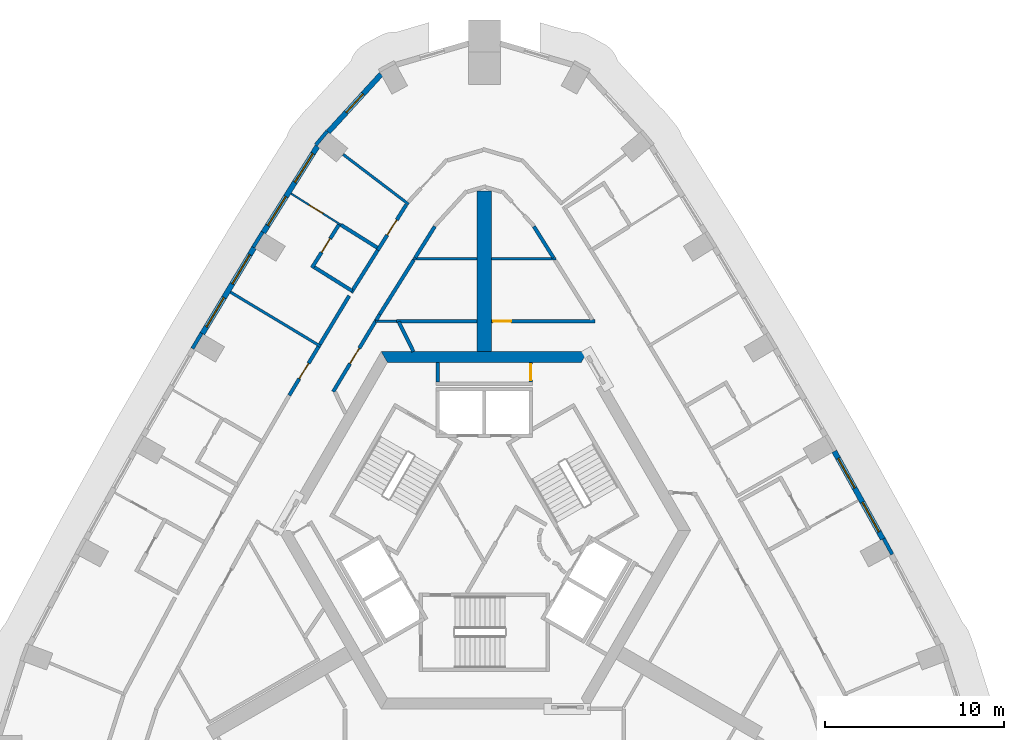
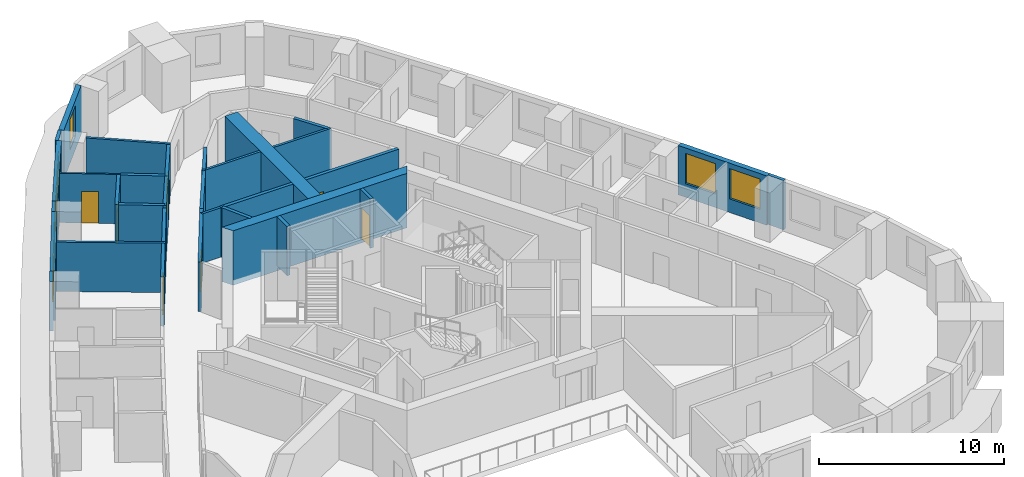
# One storey, part 8 of 13: 33 walls, 7 doors, 7 windows, 14 openings.
"""IFC4 building model written with IfcOpenShell, lengths in metres."""

import ifcopenshell
import ifcopenshell.guid

model = None  # the IFC model being written
_history = None  # IfcOwnerHistory: only IFC2X3 demands one
_inside = {}  # id of a spatial element -> (the spatial element, [elements in it])
_under = {}  # id of a project, library or spatial element -> (it, [spatial elements below it])
_declared = {}  # id of a project -> (the project, [libraries it declares])
_typed = {}  # id of a type object -> (the type object, [elements of that type])
_made_of = {}  # id of a material, layer set ... -> (it, [elements and type objects made of it])


def new_model(schema):
    """Start an empty IFC model of exactly this schema.

    Asked for "IFC4X3", IfcOpenShell would pick the latest addendum, in which some entities
    have other attributes; the version numbers below select the first issue.
    IFC2X3 requires an IfcOwnerHistory on every rooted entity: one is made here for all.
    """
    global model, _history
    if schema == "IFC4X3":
        model = ifcopenshell.file(schema_version=(4, 3, 0, 0))
    else:
        model = ifcopenshell.file(schema=schema)
    _inside.clear()
    _under.clear()
    _declared.clear()
    _typed.clear()
    _made_of.clear()
    _history = None
    if model.schema == "IFC2X3":
        org = make("IfcOrganization", Name="unknown")
        user = make(
            "IfcPersonAndOrganization",
            ThePerson=make("IfcPerson", FamilyName="unknown"),
            TheOrganization=org,
        )
        app = make(
            "IfcApplication",
            ApplicationDeveloper=org,
            Version="unknown",
            ApplicationFullName="unknown",
            ApplicationIdentifier="unknown",
        )
        _history = make(
            "IfcOwnerHistory",
            OwningUser=user,
            OwningApplication=app,
            ChangeAction="ADDED",
            CreationDate=0,
        )
    return model


def make(cls, **values):
    """One entity of the class cls with the attributes given. An attribute that is None is left unset."""
    return model.create_entity(
        cls, **{name: value for name, value in values.items() if value is not None}
    )


def rooted(cls, **values):
    """An entity with a GlobalId (a new one), such as an element, a storey or a relation."""
    return make(cls, GlobalId=ifcopenshell.guid.new(), OwnerHistory=_history, **values)


def si_unit(unit_type, name, prefix=None):
    """IfcSIUnit, for example si_unit("LENGTHUNIT", "METRE", prefix="MILLI")."""
    return make("IfcSIUnit", UnitType=unit_type, Prefix=prefix, Name=name)


def assignment(units):
    """IfcUnitAssignment: the units of a project."""
    return None if units is None else make("IfcUnitAssignment", Units=units)


def point(xyz):
    """IfcCartesianPoint."""
    return None if xyz is None else make("IfcCartesianPoint", Coordinates=xyz)


def direction(xyz):
    """IfcDirection."""
    return None if xyz is None else make("IfcDirection", DirectionRatios=xyz)


def frame(location, z_axis=None, x_axis=None):
    """IfcAxis2Placement3D, a coordinate frame: its origin and axes. An axis left out is left unset."""
    return make(
        "IfcAxis2Placement3D",
        Location=point(location),
        Axis=direction(z_axis),
        RefDirection=direction(x_axis),
    )


def frame_2d(location, x_axis=None):
    """IfcAxis2Placement2D, a coordinate frame in the plane: its origin and x axis."""
    return make(
        "IfcAxis2Placement2D", Location=point(location), RefDirection=direction(x_axis)
    )


def origin():
    """The frame at (0, 0, 0) with its axes left unset."""
    return frame((0.0, 0.0, 0.0))


def place(relative_to, where):
    """IfcLocalPlacement: puts the frame where relative to a parent placement (None: the world)."""
    return make(
        "IfcLocalPlacement", PlacementRelTo=relative_to, RelativePlacement=where
    )


def context(
    kind, dimensions, precision=None, world=None, true_north=None, identifier=None
):
    """IfcGeometricRepresentationContext, for example the 3D "Model" context."""
    return make(
        "IfcGeometricRepresentationContext",
        ContextIdentifier=identifier,
        ContextType=kind,
        CoordinateSpaceDimension=dimensions,
        Precision=precision,
        WorldCoordinateSystem=world,
        TrueNorth=true_north,
    )


def subcontext(parent, identifier, kind, view, scale=None):
    """IfcGeometricRepresentationSubContext, for example "Body" below "Model"."""
    return make(
        "IfcGeometricRepresentationSubContext",
        ContextIdentifier=identifier,
        ContextType=kind,
        ParentContext=parent,
        TargetScale=scale,
        TargetView=view,
    )


def project(units=None, contexts=None):
    """IfcProject with its units and contexts."""
    return rooted(
        "IfcProject",
        Name="project",
        RepresentationContexts=contexts,
        UnitsInContext=assignment(units),
    )


def spatial(cls, under=None, at=None, **own):
    """A site, building, storey or space (cls), placed at a placement, below another one or the project."""
    s = rooted(cls, ObjectPlacement=at, **own)
    if under is not None:
        _under.setdefault(under.id(), (under, []))[1].append(s)
    return s


def polyline(points):
    """IfcPolyline through the points."""
    return make("IfcPolyline", Points=[point(p) for p in points])


def profile(cls, at=None, kind="AREA", **sizes):
    """A parametric profile (cls). Its sizes go by their IFC names, for example OverallWidth=200.0."""
    return make(cls, ProfileType=kind, Position=at, **sizes)


def rectangle(**sizes):
    """IfcRectangleProfileDef."""
    return profile("IfcRectangleProfileDef", **sizes)


def outline(outer, holes=None, kind="AREA"):
    """IfcArbitraryClosedProfileDef: a profile drawn as a closed curve; with holes, ...WithVoids."""
    if holes is None:
        return make("IfcArbitraryClosedProfileDef", ProfileType=kind, OuterCurve=outer)
    return make(
        "IfcArbitraryProfileDefWithVoids",
        ProfileType=kind,
        OuterCurve=outer,
        InnerCurves=holes,
    )


def extrude(swept, where, along, depth):
    """IfcExtrudedAreaSolid: the profile swept, set in the frame where, extruded along a direction by depth."""
    return make(
        "IfcExtrudedAreaSolid",
        SweptArea=swept,
        Position=where,
        ExtrudedDirection=direction(along),
        Depth=depth,
    )


def shape(context_of_items, identifier, shape_type, items):
    """IfcShapeRepresentation: the items that make up one representation, for example the "Body"."""
    return make(
        "IfcShapeRepresentation",
        ContextOfItems=context_of_items,
        RepresentationIdentifier=identifier,
        RepresentationType=shape_type,
        Items=items,
    )


def material(Name=None, Category=None):
    """IfcMaterial."""
    return make("IfcMaterial", Name=Name, Category=Category)


def layer(
    of_material, thickness, ventilated=None, Name=None, Category=None, Priority=None
):
    """IfcMaterialLayer: one layer of a wall or slab, of a material (None: an air gap)."""
    return make(
        "IfcMaterialLayer",
        Material=of_material,
        LayerThickness=thickness,
        IsVentilated=ventilated,
        Name=Name,
        Category=Category,
        Priority=Priority,
    )


def layer_set(layers, Name=None):
    """IfcMaterialLayerSet."""
    return make("IfcMaterialLayerSet", MaterialLayers=layers, LayerSetName=Name)


def made_of(thing, what):
    """Note that an element or type object is made of a material, layer set ...; save() writes the relation."""
    if what is not None:
        _made_of.setdefault(what.id(), (what, []))[1].append(thing)
    return thing


def type_object(cls, material=None, **own):
    """A type object (cls), such as IfcWallType, which elements share."""
    return made_of(rooted(cls, **own), material)


def element(
    cls,
    number,
    at=None,
    inside=None,
    cuts=None,
    type_object=None,
    material=None,
    context=None,
    identifier="Body",
    shape_type=None,
    held_by="IfcProductDefinitionShape",
    body=None,
    shapes=None,
    **own,
):
    """One element of the class cls, such as IfcWall. Its Tag is "e" and its number.

    at: its placement. inside: the storey or other place that contains it. cuts: it is an
    opening in that element (IfcRelVoidsElement). A single representation is given by context,
    identifier, shape_type and body (its items); several are given by shapes. held_by: the class
    of the entity that holds the representations. save() writes the other relations.
    """
    e = rooted(cls, Tag="e%d" % number, ObjectPlacement=at, **own)
    if body is not None:
        shapes = [shape(context, identifier, shape_type, body)]
    if shapes is not None:
        e.Representation = make(held_by, Representations=shapes)
    if inside is not None:
        _inside.setdefault(inside.id(), (inside, []))[1].append(e)
    if cuts is not None:
        rooted(
            "IfcRelVoidsElement", RelatingBuildingElement=cuts, RelatedOpeningElement=e
        )
    if type_object is not None:
        _typed.setdefault(type_object.id(), (type_object, []))[1].append(e)
    return made_of(e, material)


def fill(opening, filler):
    """IfcRelFillsElement: the door or window that sits in an opening."""
    return rooted(
        "IfcRelFillsElement",
        RelatingOpeningElement=opening,
        RelatedBuildingElement=filler,
    )


def aggregate(whole, parts):
    """IfcRelAggregates: a whole, such as a stair, and the parts it consists of."""
    return rooted("IfcRelAggregates", RelatingObject=whole, RelatedObjects=parts)


def save(model, path):
    """Write the relations noted so far, then the file.

    IfcRelAggregates (storeys below a building ...), IfcRelContainedInSpatialStructure (elements
    in a storey), IfcRelDefinesByType, IfcRelAssociatesMaterial and IfcRelDeclares: one each for
    every whole, place, type object, material and project.
    """
    for whole, parts in _under.values():
        aggregate(whole, parts)
    for where, things in _inside.values():
        rooted(
            "IfcRelContainedInSpatialStructure",
            RelatedElements=things,
            RelatingStructure=where,
        )
    for kind, things in _typed.values():
        rooted("IfcRelDefinesByType", RelatedObjects=things, RelatingType=kind)
    for what, things in _made_of.values():
        rooted("IfcRelAssociatesMaterial", RelatedObjects=things, RelatingMaterial=what)
    for by, libraries in _declared.values():
        rooted("IfcRelDeclares", RelatingContext=by, RelatedDefinitions=libraries)
    model.write(path)


model = new_model("IFC4")

# Units and contexts
model_context = context("Model", 3, precision=1e-05, world=origin(), true_north=direction((0.0, 1.0)))
body_context = subcontext(model_context, "Body", "Model", "MODEL_VIEW")
ifc_project = project(units=[si_unit("LENGTHUNIT", "METRE"), si_unit("AREAUNIT", "SQUARE_METRE"), si_unit("VOLUMEUNIT", "CUBIC_METRE"), si_unit("PLANEANGLEUNIT", "RADIAN"), si_unit("MASSUNIT", "GRAM", prefix="KILO")], contexts=[model_context])

# Site, building, storey
site_placement = place(None, origin())
site = spatial("IfcSite", under=ifc_project, at=site_placement, CompositionType="ELEMENT")
building_placement = place(site_placement, origin())
building = spatial("IfcBuilding", under=site, at=building_placement, Name="Entoto Arch Interchange Tower", CompositionType="ELEMENT")
storey_placement = place(building_placement, frame((0.0, 0.0, 266.60009765625)))
storey = spatial("IfcBuildingStorey", under=building, at=storey_placement, Name="L61", CompositionType="ELEMENT", Elevation=266.60009765625)

# Walls
ifc_material_1 = material(Name="Concrete C40/50", Category="concrete")
ifc_layer_1 = layer(ifc_material_1, 0.800048828125)
ifc_layer_set_1 = layer_set([ifc_layer_1], Name="Concrete C40/50")
wall_type_1 = type_object("IfcWallType", Name="Buttress wall 800 C40/50", PredefinedType="SHEAR", material=ifc_layer_set_1)
wall_1_placement = place(storey_placement, frame((0.0, 12.5, -0.340087890625), z_axis=(0.0, 0.0, 1.0), x_axis=(0.0, 1.0, 0.0)))
element("IfcWall", 1, at=wall_1_placement, inside=storey, type_object=wall_type_1, Name="Buttress wall N L61", PredefinedType="SHEAR", context=body_context, shape_type="SweptSolid", body=[
    extrude(rectangle(XDim=9.0, YDim=0.800048828125, at=frame_2d((4.5, 0.0))), origin(), (0.0, 0.0, 1.0), 3.60009765625),
])
ifc_layer_2 = layer(ifc_material_1, 0.60009765625)
ifc_layer_set_2 = layer_set([ifc_layer_2], Name="Concrete C40/50")
wall_type_2 = type_object("IfcWallType", Name="Core wall 600 C40/50", PredefinedType="SHEAR", material=ifc_layer_set_2)
wall_2_placement = place(storey_placement, frame((0.0, 0.0, -0.340087890625)))
element("IfcWall", 2, at=wall_2_placement, inside=storey, type_object=wall_type_2, Name="Core wall N L61", PredefinedType="SHEAR", context=body_context, shape_type="SweptSolid", body=[
    extrude(outline(polyline([(5.77392578125, 12.5), (-5.77392578125, 12.5), (-5.427001953125, 11.89990234375), (5.427001953125, 11.89990234375), (5.77392578125, 12.5)])), origin(), (0.0, 0.0, 1.0), 3.60009765625),
])

# Wall, opening, door
ifc_material_2 = material(Name="Gypsum board partition on steel studs", Category="steel")
ifc_layer_3 = layer(ifc_material_2, 0.10009765625)
ifc_layer_set_3 = layer_set([ifc_layer_3], Name="Gypsum board partition on steel studs")
wall_type_3 = type_object("IfcWallType", Name="PARTITION 100", PredefinedType="PARTITIONING", material=ifc_layer_set_3)
wall_3_placement = place(storey_placement, frame((-8.029052734375, 19.597900390625, 0.0), z_axis=(0.0, 0.0, 1.0), x_axis=(-0.847216023371, 0.531248538581, 0.0)))
wall_3 = element("IfcWall", 3, at=wall_3_placement, inside=storey, type_object=wall_type_3, Name="wall:L61:p129", PredefinedType="PARTITIONING", context=body_context, shape_type="SweptSolid", body=[
    extrude(rectangle(XDim=3.300048828125, YDim=0.10009765625, at=frame_2d((1.64990234375, 0.0))), origin(), (0.0, 0.0, 1.0), 3.260009765625),
])
opening_1_placement = place(wall_3_placement, frame((1.199951171875, 0.0, 0.0)))
opening_1 = element("IfcOpeningElement", 4, at=opening_1_placement, cuts=wall_3, Name="Opening L61-D11", PredefinedType="OPENING", context=body_context, shape_type="SweptSolid", body=[
    extrude(rectangle(XDim=0.89990234375, YDim=2.10009765625, at=frame_2d((0.449951171875, 1.050048828125))), frame((0.0, 0.06005859375, 0.0), z_axis=(0.0, -1.0, 0.0), x_axis=(1.0, 0.0, 0.0)), (0.0, 0.0, 1.0), 0.1201171875),
])
ifc_material_3 = material(Name="Timber door leaf in Steel S235 frame", Category="steel")
door_type_1 = type_object("IfcDoorType", Name="DOOR DS-09 900x2100", OperationType="SINGLE_SWING_LEFT", PredefinedType="DOOR", material=ifc_material_3)
door_1_placement = place(opening_1_placement, origin())
door_1 = element("IfcDoor", 5, at=door_1_placement, inside=storey, type_object=door_type_1, Name="door:L61:11", OperationType="SINGLE_SWING_RIGHT", OverallHeight=2.10009765625, OverallWidth=0.89990234375, PredefinedType="DOOR", context=body_context, shape_type="SweptSolid", body=[
    extrude(rectangle(XDim=0.89990234375, YDim=2.10009765625, at=frame_2d((0.449951171875, 1.050048828125))), frame((0.0, 0.02490234375, 0.0), z_axis=(0.0, -1.0, 0.0), x_axis=(1.0, 0.0, 0.0)), (0.0, 0.0, 1.0), 0.050048828125),
])
fill(opening_1, door_1)

# Walls
ifc_layer_4 = layer(ifc_material_2, 0.14990234375)
ifc_layer_set_4 = layer_set([ifc_layer_4], Name="Gypsum board partition on steel studs")
wall_type_4 = type_object("IfcWallType", Name="PARTITION 150", PredefinedType="PARTITIONING", material=ifc_layer_set_4)
wall_4_placement = place(storey_placement, frame((-4.904052734375, 14.199951171875, 0.0), z_axis=(0.0, 0.0, 1.0), x_axis=(-1.0, 0.0, 0.0)))
element("IfcWall", 6, at=wall_4_placement, inside=storey, type_object=wall_type_4, Name="wall:L61:p083", PredefinedType="PARTITIONING", context=body_context, shape_type="SweptSolid", body=[
    extrude(rectangle(XDim=1.18896484375, YDim=0.14990234375, at=frame_2d((0.594482421875, 0.0))), origin(), (0.0, 0.0, 1.0), 3.260009765625),
])
wall_5_placement = place(storey_placement, frame((-4.008056640625, 17.699951171875, 0.0), z_axis=(0.0, 0.0, 1.0), x_axis=(1.0, 0.0, 0.0)))
element("IfcWall", 7, at=wall_5_placement, inside=storey, type_object=wall_type_4, Name="wall:L61:p104", PredefinedType="PARTITIONING", context=body_context, shape_type="SweptSolid", body=[
    extrude(rectangle(XDim=3.608154296875, YDim=0.14990234375, at=frame_2d((1.80419921875, 0.0))), origin(), (0.0, 0.0, 1.0), 3.260009765625),
])
wall_6_placement = place(storey_placement, frame((-4.238037109375, 20.7509765625, 0.0), z_axis=(0.0, 0.0, 1.0), x_axis=(-0.795806473987, 0.605551034976, 0.0)))
element("IfcWall", 8, at=wall_6_placement, inside=storey, type_object=wall_type_4, Name="wall:L61:p128", PredefinedType="PARTITIONING", context=body_context, shape_type="SweptSolid", body=[
    extrude(rectangle(XDim=4.604248046875, YDim=0.14990234375, at=frame_2d((2.30224609375, 0.0))), origin(), (0.0, 0.0, 1.0), 3.260009765625),
])
wall_7_placement = place(storey_placement, frame((-9.156982421875, 12.7919921875, 0.0), z_axis=(0.0, 0.0, 1.0), x_axis=(-0.856933793276, 0.515426497129, 0.0)))
element("IfcWall", 9, at=wall_7_placement, inside=storey, type_object=wall_type_4, Name="wall:L61:p133", PredefinedType="PARTITIONING", context=body_context, shape_type="SweptSolid", body=[
    extrude(rectangle(XDim=5.89990234375, YDim=0.14990234375, at=frame_2d((2.949951171875, 0.0))), origin(), (0.0, 0.0, 1.0), 3.260009765625),
])
wall_8_placement = place(storey_placement, frame((0.39990234375, 17.699951171875, 0.0), z_axis=(0.0, 0.0, 1.0), x_axis=(1.0, 0.0, 0.0)))
element("IfcWall", 10, at=wall_8_placement, inside=storey, type_object=wall_type_4, Name="wall:L61:p104", PredefinedType="PARTITIONING", context=body_context, shape_type="SweptSolid", body=[
    extrude(rectangle(XDim=3.608154296875, YDim=0.14990234375, at=frame_2d((1.80419921875, 0.0))), origin(), (0.0, 0.0, 1.0), 3.260009765625),
])
ifc_layer_5 = layer(ifc_material_2, 0.199951171875)
ifc_layer_set_5 = layer_set([ifc_layer_5], Name="Gypsum board partition on steel studs")
wall_type_5 = type_object("IfcWallType", Name="PARTITION 200", PredefinedType="PARTITIONING", material=ifc_layer_set_5)
wall_9_placement = place(storey_placement, frame((-3.969970703125, 12.5, 0.0), z_axis=(0.0, 0.0, 1.0), x_axis=(-0.440355460167, 0.89782351757, 0.0)))
element("IfcWall", 11, at=wall_9_placement, inside=storey, type_object=wall_type_5, Name="wall:L61:p003", PredefinedType="PARTITIONING", context=body_context, shape_type="SweptSolid", body=[
    extrude(rectangle(XDim=1.868896484375, YDim=0.199951171875, at=frame_2d((0.9345703125, 0.0))), origin(), (0.0, 0.0, 1.0), 3.260009765625),
])

# Wall, opening, door
wall_10_placement = place(storey_placement, frame((-6.053955078125, 14.263916015625, 0.0), z_axis=(0.0, 0.0, 1.0), x_axis=(-0.515508653897, -0.856884372455, 0.0)))
wall_10 = element("IfcWall", 12, at=wall_10_placement, inside=storey, type_object=wall_type_5, Name="wall:L61:p004", PredefinedType="PARTITIONING", context=body_context, shape_type="SweptSolid", body=[
    extrude(rectangle(XDim=4.67724609375, YDim=0.199951171875, at=frame_2d((2.338623046875, 0.0))), origin(), (0.0, 0.0, 1.0), 3.260009765625),
])
opening_2_placement = place(wall_10_placement, frame((1.839111328125, 0.0, 0.0)))
opening_2 = element("IfcOpeningElement", 13, at=opening_2_placement, cuts=wall_10, Name="Opening L61-D33", PredefinedType="OPENING", context=body_context, shape_type="SweptSolid", body=[
    extrude(rectangle(XDim=1.0, YDim=2.10009765625, at=frame_2d((0.5, 1.050048828125))), frame((0.0, 0.10986328125, 0.0), z_axis=(0.0, -1.0, 0.0), x_axis=(1.0, 0.0, 0.0)), (0.0, 0.0, 1.0), 0.219970703125),
])
door_type_2 = type_object("IfcDoorType", Name="DOOR DS-10 1000x2100", OperationType="SINGLE_SWING_LEFT", PredefinedType="DOOR", material=ifc_material_3)
door_2_placement = place(opening_2_placement, origin())
door_2 = element("IfcDoor", 14, at=door_2_placement, inside=storey, type_object=door_type_2, Name="door:L61:33", OperationType="SINGLE_SWING_LEFT", OverallHeight=2.10009765625, OverallWidth=1.0, PredefinedType="DOOR", context=body_context, shape_type="SweptSolid", body=[
    extrude(rectangle(XDim=1.0, YDim=2.10009765625, at=frame_2d((0.5, 1.050048828125))), frame((0.0, 0.02490234375, 0.0), z_axis=(0.0, -1.0, 0.0), x_axis=(1.0, 0.0, 0.0)), (0.0, 0.0, 1.0), 0.050048828125),
])
fill(opening_2, door_2)

# Walls
wall_11_placement = place(storey_placement, frame((-4.904052734375, 14.199951171875, 0.0), z_axis=(0.0, 0.0, 1.0), x_axis=(1.0, 0.0, 0.0)))
element("IfcWall", 15, at=wall_11_placement, inside=storey, type_object=wall_type_5, Name="wall:L61:p009", PredefinedType="PARTITIONING", context=body_context, shape_type="SweptSolid", body=[
    extrude(rectangle(XDim=4.504150390625, YDim=0.199951171875, at=frame_2d((2.251953125, 0.0))), origin(), (0.0, 0.0, 1.0), 3.260009765625),
])
wall_12_placement = place(storey_placement, frame((-3.947998046875, 17.635986328125, 0.0), z_axis=(0.0, 0.0, 1.0), x_axis=(-0.531380509042, -0.847133256702, 0.0)))
element("IfcWall", 16, at=wall_12_placement, inside=storey, type_object=wall_type_5, Name="wall:L61:p012", PredefinedType="PARTITIONING", context=body_context, shape_type="SweptSolid", body=[
    extrude(rectangle(XDim=3.60400390625, YDim=0.199951171875, at=frame_2d((1.802001953125, 0.0))), origin(), (0.0, 0.0, 1.0), 3.260009765625),
])
wall_13_placement = place(storey_placement, frame((-5.863037109375, 14.5830078125, 0.0), z_axis=(0.0, 0.0, 1.0), x_axis=(-0.513433271491, -0.858129521533, 0.0)))
element("IfcWall", 17, at=wall_13_placement, inside=storey, type_object=wall_type_5, Name="wall:L61:p013", PredefinedType="PARTITIONING", context=body_context, shape_type="SweptSolid", body=[
    extrude(rectangle(XDim=0.371826171875, YDim=0.199951171875, at=frame_2d((0.18603515625, 0.0))), origin(), (0.0, 0.0, 1.0), 3.260009765625),
])
for number, where, z_axis, x_axis, name in (
    (18, (3.867919921875, 17.763916015625, 0.0), (0.0, 0.0, 1.0), (-0.531062870102, 0.847332418829, 0.0), "wall:L61:p014"),
    (19, (-2.77294921875, 19.510986328125, 0.0), (0.0, 0.0, 1.0), (-0.531062870102, -0.847332418829, 0.0), "wall:L61:p019"),
):
    element("IfcWall", number, at=place(storey_placement, frame(where, z_axis=z_axis, x_axis=x_axis)), inside=storey, type_object=wall_type_5, Name=name, PredefinedType="PARTITIONING", context=body_context, shape_type="SweptSolid", body=[
        extrude(rectangle(XDim=2.061767578125, YDim=0.199951171875, at=frame_2d((1.03076171875, 0.0))), origin(), (0.0, 0.0, 1.0), 3.260009765625),
    ])

# Wall, opening, door
wall_14_placement = place(storey_placement, frame((-5.965087890625, 18.18505859375, 0.0), z_axis=(0.0, 0.0, 1.0), x_axis=(0.531256372055, 0.847211111324, 0.0)))
wall_14 = element("IfcWall", 20, at=wall_14_placement, inside=storey, type_object=wall_type_5, Name="wall:L61:p057", PredefinedType="PARTITIONING", context=body_context, shape_type="SweptSolid", body=[
    extrude(rectangle(XDim=3.00048828125, YDim=0.199951171875, at=frame_2d((1.500244140625, 0.0))), origin(), (0.0, 0.0, 1.0), 3.260009765625),
])
opening_3_placement = place(wall_14_placement, frame((1.0, 0.0, 0.0)))
opening_3 = element("IfcOpeningElement", 21, at=opening_3_placement, cuts=wall_14, Name="Opening L61-D10", PredefinedType="OPENING", context=body_context, shape_type="SweptSolid", body=[
    extrude(rectangle(XDim=1.0, YDim=2.10009765625, at=frame_2d((0.5, 1.050048828125))), frame((0.0, 0.10986328125, 0.0), z_axis=(0.0, -1.0, 0.0), x_axis=(1.0, 0.0, 0.0)), (0.0, 0.0, 1.0), 0.219970703125),
])
ifc_material_4 = material(Name="Fire-rated Steel S235 door and frame", Category="steel")
door_type_3 = type_object("IfcDoorType", Name="DOOR FD-10 1000x2100", OperationType="SINGLE_SWING_LEFT", PredefinedType="DOOR", material=ifc_material_4)
door_3_placement = place(opening_3_placement, origin())
door_3 = element("IfcDoor", 22, at=door_3_placement, inside=storey, type_object=door_type_3, Name="door:L61:10", OperationType="SINGLE_SWING_LEFT", OverallHeight=2.10009765625, OverallWidth=1.0, PredefinedType="DOOR", context=body_context, shape_type="SweptSolid", body=[
    extrude(rectangle(XDim=1.0, YDim=2.10009765625, at=frame_2d((0.5, 1.050048828125))), frame((0.0, 0.02490234375, 0.0), z_axis=(0.0, -1.0, 0.0), x_axis=(1.0, 0.0, 0.0)), (0.0, 0.0, 1.0), 0.050048828125),
])
fill(opening_3, door_3)

# Walls
wall_15_placement = place(storey_placement, frame((-9.2041015625, 12.907958984375, 0.0), z_axis=(0.0, 0.0, 1.0), x_axis=(0.51556943596, 0.856847802532, 0.0)))
element("IfcWall", 23, at=wall_15_placement, inside=storey, type_object=wall_type_5, Name="wall:L61:p058", PredefinedType="PARTITIONING", context=body_context, shape_type="SweptSolid", body=[
    extrude(rectangle(XDim=3.175537109375, YDim=0.199951171875, at=frame_2d((1.587890625, 0.0))), origin(), (0.0, 0.0, 1.0), 3.260009765625),
])
wall_16_placement = place(storey_placement, frame((-7.451904296875, 15.81298828125, 0.0), z_axis=(0.0, 0.0, 1.0), x_axis=(0.531095943551, 0.847311689252, 0.0)))
element("IfcWall", 24, at=wall_16_placement, inside=storey, type_object=wall_type_5, Name="wall:L61:p059", PredefinedType="PARTITIONING", context=body_context, shape_type="SweptSolid", body=[
    extrude(rectangle(XDim=2.799560546875, YDim=0.199951171875, at=frame_2d((1.39990234375, 0.0))), origin(), (0.0, 0.0, 1.0), 3.260009765625),
])

# Wall, opening, door
wall_17_placement = place(storey_placement, frame((-10.9189453125, 10.056884765625, 0.0), z_axis=(0.0, 0.0, 1.0), x_axis=(0.515568955032, 0.856848091908, 0.0)))
wall_17 = element("IfcWall", 25, at=wall_17_placement, inside=storey, type_object=wall_type_5, Name="wall:L61:p061", PredefinedType="PARTITIONING", context=body_context, shape_type="SweptSolid", body=[
    extrude(rectangle(XDim=3.177001953125, YDim=0.199951171875, at=frame_2d((1.58837890625, 0.0))), origin(), (0.0, 0.0, 1.0), 3.260009765625),
])
opening_4_placement = place(wall_17_placement, frame((1.087890625, 0.0, 0.0)))
opening_4 = element("IfcOpeningElement", 26, at=opening_4_placement, cuts=wall_17, Name="Opening L61-D13", PredefinedType="OPENING", context=body_context, shape_type="SweptSolid", body=[
    extrude(rectangle(XDim=1.0, YDim=2.10009765625, at=frame_2d((0.5, 1.050048828125))), frame((0.0, 0.10986328125, 0.0), z_axis=(0.0, -1.0, 0.0), x_axis=(1.0, 0.0, 0.0)), (0.0, 0.0, 1.0), 0.219970703125),
])
door_4_placement = place(opening_4_placement, origin())
door_4 = element("IfcDoor", 27, at=door_4_placement, inside=storey, type_object=door_type_3, Name="door:L61:13", OperationType="SINGLE_SWING_LEFT", OverallHeight=2.10009765625, OverallWidth=1.0, PredefinedType="DOOR", context=body_context, shape_type="SweptSolid", body=[
    extrude(rectangle(XDim=1.0, YDim=2.10009765625, at=frame_2d((0.5, 1.050048828125))), frame((0.0, 0.02490234375, 0.0), z_axis=(0.0, -1.0, 0.0), x_axis=(1.0, 0.0, 0.0)), (0.0, 0.0, 1.0), 0.050048828125),
])
fill(opening_4, door_4)

# Wall
wall_18_placement = place(storey_placement, frame((-2.60009765625, 10.800048828125, 0.0), z_axis=(0.0, 0.0, 1.0), x_axis=(0.0, 1.0, 0.0)))
element("IfcWall", 28, at=wall_18_placement, inside=storey, type_object=wall_type_5, Name="wall:L61:p072", PredefinedType="PARTITIONING", context=body_context, shape_type="SweptSolid", body=[
    extrude(rectangle(XDim=1.099853515625, YDim=0.199951171875, at=frame_2d((0.5498046875, 0.0))), origin(), (0.0, 0.0, 1.0), 3.260009765625),
])

# Wall, opening, door
wall_19_placement = place(storey_placement, frame((2.60009765625, 11.89990234375, 0.0), z_axis=(0.0, 0.0, 1.0), x_axis=(0.0, -1.0, 0.0)))
wall_19 = element("IfcWall", 29, at=wall_19_placement, inside=storey, type_object=wall_type_5, Name="wall:L61:p073", PredefinedType="PARTITIONING", context=body_context, shape_type="SweptSolid", body=[
    extrude(rectangle(XDim=1.099853515625, YDim=0.199951171875, at=frame_2d((0.5498046875, 0.0))), origin(), (0.0, 0.0, 1.0), 3.260009765625),
])
opening_5_placement = place(wall_19_placement, frame((0.10009765625, 0.0, 0.0)))
opening_5 = element("IfcOpeningElement", 30, at=opening_5_placement, cuts=wall_19, Name="Opening L61-D37", PredefinedType="OPENING", context=body_context, shape_type="SweptSolid", body=[
    extrude(rectangle(XDim=0.89990234375, YDim=2.10009765625, at=frame_2d((0.449951171875, 1.050048828125))), frame((0.0, 0.10986328125, 0.0), z_axis=(0.0, -1.0, 0.0), x_axis=(1.0, 0.0, 0.0)), (0.0, 0.0, 1.0), 0.219970703125),
])
door_5_placement = place(opening_5_placement, origin())
door_5 = element("IfcDoor", 31, at=door_5_placement, inside=storey, type_object=door_type_1, Name="door:L61:37", OperationType="SINGLE_SWING_LEFT", OverallHeight=2.10009765625, OverallWidth=0.89990234375, PredefinedType="DOOR", context=body_context, shape_type="SweptSolid", body=[
    extrude(rectangle(XDim=0.89990234375, YDim=2.10009765625, at=frame_2d((0.449951171875, 1.050048828125))), frame((0.0, 0.02490234375, 0.0), z_axis=(0.0, -1.0, 0.0), x_axis=(1.0, 0.0, 0.0)), (0.0, 0.0, 1.0), 0.050048828125),
])
fill(opening_5, door_5)

# Wall
wall_20_placement = place(storey_placement, frame((-5.99609375, 18.322998046875, 0.0), z_axis=(0.0, 0.0, 1.0), x_axis=(-0.847191403331, 0.531287799711, 0.0)))
element("IfcWall", 32, at=wall_20_placement, inside=storey, type_object=wall_type_5, Name="wall:L61:p130", PredefinedType="PARTITIONING", context=body_context, shape_type="SweptSolid", body=[
    extrude(rectangle(XDim=2.399658203125, YDim=0.199951171875, at=frame_2d((1.19970703125, 0.0))), origin(), (0.0, 0.0, 1.0), 3.260009765625),
])

# Wall, opening, door
wall_21_placement = place(storey_placement, frame((-8.087890625, 19.693115234375, 0.0), z_axis=(0.0, 0.0, 1.0), x_axis=(-0.531277961984, -0.847197572654, 0.0)))
wall_21 = element("IfcWall", 33, at=wall_21_placement, inside=storey, type_object=wall_type_5, Name="wall:L61:p131", PredefinedType="PARTITIONING", context=body_context, shape_type="SweptSolid", body=[
    extrude(rectangle(XDim=2.94970703125, YDim=0.199951171875, at=frame_2d((1.474853515625, 0.0))), origin(), (0.0, 0.0, 1.0), 3.260009765625),
])
opening_6_placement = place(wall_21_placement, frame((1.02490234375, 0.0, 0.0)))
opening_6 = element("IfcOpeningElement", 34, at=opening_6_placement, cuts=wall_21, Name="Opening L61-D12", PredefinedType="OPENING", context=body_context, shape_type="SweptSolid", body=[
    extrude(rectangle(XDim=0.89990234375, YDim=2.10009765625, at=frame_2d((0.449951171875, 1.050048828125))), frame((0.0, 0.10986328125, 0.0), z_axis=(0.0, -1.0, 0.0), x_axis=(1.0, 0.0, 0.0)), (0.0, 0.0, 1.0), 0.219970703125),
])
door_6_placement = place(opening_6_placement, origin())
door_6 = element("IfcDoor", 35, at=door_6_placement, inside=storey, type_object=door_type_1, Name="door:L61:12", OperationType="SINGLE_SWING_LEFT", OverallHeight=2.10009765625, OverallWidth=0.89990234375, PredefinedType="DOOR", context=body_context, shape_type="SweptSolid", body=[
    extrude(rectangle(XDim=0.89990234375, YDim=2.10009765625, at=frame_2d((0.449951171875, 1.050048828125))), frame((0.0, 0.02490234375, 0.0), z_axis=(0.0, -1.0, 0.0), x_axis=(1.0, 0.0, 0.0)), (0.0, 0.0, 1.0), 0.050048828125),
])
fill(opening_6, door_6)

# Wall
wall_22_placement = place(storey_placement, frame((-9.51708984375, 17.22607421875, 0.0), z_axis=(0.0, 0.0, 1.0), x_axis=(0.847229363594, -0.53122726348, 0.0)))
element("IfcWall", 36, at=wall_22_placement, inside=storey, type_object=wall_type_5, Name="wall:L61:p132", PredefinedType="PARTITIONING", context=body_context, shape_type="SweptSolid", body=[
    extrude(rectangle(XDim=2.5, YDim=0.199951171875, at=frame_2d((1.25, 0.0))), origin(), (0.0, 0.0, 1.0), 3.260009765625),
])

# Wall, opening, door
wall_23_placement = place(storey_placement, frame((0.39990234375, 14.199951171875, 0.0), z_axis=(0.0, 0.0, 1.0), x_axis=(1.0, 0.0, 0.0)))
wall_23 = element("IfcWall", 37, at=wall_23_placement, inside=storey, type_object=wall_type_5, Name="wall:L61:p009", PredefinedType="PARTITIONING", context=body_context, shape_type="SweptSolid", body=[
    extrude(rectangle(XDim=5.793212890625, YDim=0.199951171875, at=frame_2d((2.896484375, 0.0))), origin(), (0.0, 0.0, 1.0), 3.260009765625),
])
opening_7_placement = place(wall_23_placement, frame((0.094970703125, 0.0, 0.0)))
opening_7 = element("IfcOpeningElement", 38, at=opening_7_placement, cuts=wall_23, Name="Opening L61-D27", PredefinedType="OPENING", context=body_context, shape_type="SweptSolid", body=[
    extrude(rectangle(XDim=1.0, YDim=2.10009765625, at=frame_2d((0.5, 1.050048828125))), frame((0.0, 0.10986328125, 0.0), z_axis=(0.0, -1.0, 0.0), x_axis=(1.0, 0.0, 0.0)), (0.0, 0.0, 1.0), 0.219970703125),
])
door_7_placement = place(opening_7_placement, origin())
door_7 = element("IfcDoor", 39, at=door_7_placement, inside=storey, type_object=door_type_2, Name="door:L61:27", OperationType="SINGLE_SWING_LEFT", OverallHeight=2.10009765625, OverallWidth=1.0, PredefinedType="DOOR", context=body_context, shape_type="SweptSolid", body=[
    extrude(rectangle(XDim=1.0, YDim=2.10009765625, at=frame_2d((0.5, 1.050048828125))), frame((0.0, 0.02490234375, 0.0), z_axis=(0.0, -1.0, 0.0), x_axis=(1.0, 0.0, 0.0)), (0.0, 0.0, 1.0), 0.050048828125),
])
fill(opening_7, door_7)

# Wall, openings, windows
ifc_material_5 = material(Name="Welded tuff (ignimbrite) cladding, warm buff", Category="masonry")
ifc_layer_6 = layer(ifc_material_5, 0.300048828125)
ifc_layer_set_6 = layer_set([ifc_layer_6], Name="Welded tuff (ignimbrite) cladding, warm buff")
wall_type_6 = type_object("IfcWallType", Name="STONE INFILL WALL 300", PredefinedType="STANDARD", material=ifc_layer_set_6)
wall_24_placement = place(storey_placement, frame((22.30810546875, 2.010009765625, 0.0), z_axis=(0.0, 0.0, 1.0), x_axis=(-0.484260568952, 0.874923826032, 0.0)))
wall_24 = element("IfcWall", 40, at=wall_24_placement, inside=storey, type_object=wall_type_6, Name="Facade wall NE-02 L61", PredefinedType="STANDARD", context=body_context, shape_type="SweptSolid", body=[
    extrude(rectangle(XDim=5.610595703125, YDim=0.300048828125, at=frame_2d((2.80517578125, 0.0))), origin(), (0.0, 0.0, 1.0), 3.260009765625),
])
opening_8_placement = place(wall_24_placement, frame((0.452880859375, 0.0, 0.89990234375)))
opening_8 = element("IfcOpeningElement", 41, at=opening_8_placement, cuts=wall_24, Name="Opening WH-C", PredefinedType="OPENING", context=body_context, shape_type="SweptSolid", body=[
    extrude(rectangle(XDim=1.89990234375, YDim=2.0, at=frame_2d((0.949951171875, 1.0))), frame((0.0, 0.16015625, 0.0), z_axis=(0.0, -1.0, 0.0), x_axis=(1.0, 0.0, 0.0)), (0.0, 0.0, 1.0), 0.320068359375),
])
opening_9_placement = place(wall_24_placement, frame((3.258056640625, 0.0, 0.89990234375)))
opening_9 = element("IfcOpeningElement", 42, at=opening_9_placement, cuts=wall_24, Name="Opening WH-C", PredefinedType="OPENING", context=body_context, shape_type="SweptSolid", body=[
    extrude(rectangle(XDim=1.89990234375, YDim=2.0, at=frame_2d((0.949951171875, 1.0))), frame((0.0, 0.16015625, 0.0), z_axis=(0.0, -1.0, 0.0), x_axis=(1.0, 0.0, 0.0)), (0.0, 0.0, 1.0), 0.320068359375),
])
ifc_material_6 = material(Name="Clear glass, low-e double glazed", Category="glass")
window_type_1 = type_object("IfcWindowType", Name="WINDOW WH-C 1900x2000", PartitioningType="DOUBLE_PANEL_VERTICAL", PredefinedType="WINDOW", material=ifc_material_6)
window_1_placement = place(opening_8_placement, origin())
window_1 = element("IfcWindow", 43, at=window_1_placement, inside=storey, type_object=window_type_1, Name="Window WH-C NE-02 L61", OverallHeight=2.0, OverallWidth=1.89990234375, PartitioningType="SINGLE_PANEL", PredefinedType="WINDOW", context=body_context, shape_type="SweptSolid", body=[
    extrude(rectangle(XDim=1.89990234375, YDim=2.0, at=frame_2d((0.949951171875, 1.0))), frame((0.0, 0.030029296875, 0.0), z_axis=(0.0, -1.0, 0.0), x_axis=(1.0, 0.0, 0.0)), (0.0, 0.0, 1.0), 0.06005859375),
])
fill(opening_8, window_1)
window_2_placement = place(opening_9_placement, origin())
window_2 = element("IfcWindow", 44, at=window_2_placement, inside=storey, type_object=window_type_1, Name="Window WH-C NE-02 L61", OverallHeight=2.0, OverallWidth=1.89990234375, PartitioningType="SINGLE_PANEL", PredefinedType="WINDOW", context=body_context, shape_type="SweptSolid", body=[
    extrude(rectangle(XDim=1.89990234375, YDim=2.0, at=frame_2d((0.949951171875, 1.0))), frame((0.0, 0.030029296875, 0.0), z_axis=(0.0, -1.0, 0.0), x_axis=(1.0, 0.0, 0.0)), (0.0, 0.0, 1.0), 0.06005859375),
])
fill(opening_9, window_2)

# Wall, opening, window
wall_25_placement = place(storey_placement, frame((-5.781982421875, 28.02490234375, 0.0), z_axis=(0.0, 0.0, 1.0), x_axis=(-0.675143863554, -0.737686087374, 0.0)))
wall_25 = element("IfcWall", 45, at=wall_25_placement, inside=storey, type_object=wall_type_6, Name="Facade wall N-04 L61", PredefinedType="STANDARD", context=body_context, shape_type="SweptSolid", body=[
    extrude(rectangle(XDim=4.3798828125, YDim=0.300048828125, at=frame_2d((2.18994140625, 0.0))), origin(), (0.0, 0.0, 1.0), 3.260009765625),
])
opening_10_placement = place(wall_25_placement, frame((1.489990234375, 0.0, 0.89990234375)))
opening_10 = element("IfcOpeningElement", 46, at=opening_10_placement, cuts=wall_25, Name="Opening WH-B", PredefinedType="OPENING", context=body_context, shape_type="SweptSolid", body=[
    extrude(rectangle(XDim=1.39990234375, YDim=2.0, at=frame_2d((0.699951171875, 1.0))), frame((0.0, 0.16015625, 0.0), z_axis=(0.0, -1.0, 0.0), x_axis=(1.0, 0.0, 0.0)), (0.0, 0.0, 1.0), 0.320068359375),
])
window_type_2 = type_object("IfcWindowType", Name="WINDOW WH-B 1400x2000", PartitioningType="DOUBLE_PANEL_VERTICAL", PredefinedType="WINDOW", material=ifc_material_6)
window_3_placement = place(opening_10_placement, origin())
window_3 = element("IfcWindow", 47, at=window_3_placement, inside=storey, type_object=window_type_2, Name="Window WH-B N-04 L61", OverallHeight=2.0, OverallWidth=1.39990234375, PartitioningType="SINGLE_PANEL", PredefinedType="WINDOW", context=body_context, shape_type="SweptSolid", body=[
    extrude(rectangle(XDim=1.39990234375, YDim=2.0, at=frame_2d((0.699951171875, 1.0))), frame((0.0, 0.030029296875, 0.0), z_axis=(0.0, -1.0, 0.0), x_axis=(1.0, 0.0, 0.0)), (0.0, 0.0, 1.0), 0.06005859375),
])
fill(opening_10, window_3)

# Wall, openings, windows
wall_26_placement = place(storey_placement, frame((-9.343017578125, 23.998046875, 0.0), z_axis=(0.0, 0.0, 1.0), x_axis=(-0.531137483242, -0.847285650708, 0.0)))
wall_26 = element("IfcWall", 48, at=wall_26_placement, inside=storey, type_object=wall_type_6, Name="Facade wall NW-01 L61", PredefinedType="STANDARD", context=body_context, shape_type="SweptSolid", body=[
    extrude(rectangle(XDim=5.702880859375, YDim=0.300048828125, at=frame_2d((2.8515625, 0.0))), origin(), (0.0, 0.0, 1.0), 3.260009765625),
])
opening_11_placement = place(wall_26_placement, frame((0.47607421875, 0.0, 0.89990234375)))
opening_11 = element("IfcOpeningElement", 49, at=opening_11_placement, cuts=wall_26, Name="Opening WH-C", PredefinedType="OPENING", context=body_context, shape_type="SweptSolid", body=[
    extrude(rectangle(XDim=1.89990234375, YDim=2.0, at=frame_2d((0.949951171875, 1.0))), frame((0.0, 0.16015625, 0.0), z_axis=(0.0, -1.0, 0.0), x_axis=(1.0, 0.0, 0.0)), (0.0, 0.0, 1.0), 0.320068359375),
])
opening_12_placement = place(wall_26_placement, frame((3.326904296875, 0.0, 0.89990234375)))
opening_12 = element("IfcOpeningElement", 50, at=opening_12_placement, cuts=wall_26, Name="Opening WH-C", PredefinedType="OPENING", context=body_context, shape_type="SweptSolid", body=[
    extrude(rectangle(XDim=1.89990234375, YDim=2.0, at=frame_2d((0.949951171875, 1.0))), frame((0.0, 0.16015625, 0.0), z_axis=(0.0, -1.0, 0.0), x_axis=(1.0, 0.0, 0.0)), (0.0, 0.0, 1.0), 0.320068359375),
])
window_4_placement = place(opening_11_placement, origin())
window_4 = element("IfcWindow", 51, at=window_4_placement, inside=storey, type_object=window_type_1, Name="Window WH-C NW-01 L61", OverallHeight=2.0, OverallWidth=1.89990234375, PartitioningType="SINGLE_PANEL", PredefinedType="WINDOW", context=body_context, shape_type="SweptSolid", body=[
    extrude(rectangle(XDim=1.89990234375, YDim=2.0, at=frame_2d((0.949951171875, 1.0))), frame((0.0, 0.030029296875, 0.0), z_axis=(0.0, -1.0, 0.0), x_axis=(1.0, 0.0, 0.0)), (0.0, 0.0, 1.0), 0.06005859375),
])
fill(opening_11, window_4)
window_5_placement = place(opening_12_placement, origin())
window_5 = element("IfcWindow", 52, at=window_5_placement, inside=storey, type_object=window_type_1, Name="Window WH-C NW-01 L61", OverallHeight=2.0, OverallWidth=1.89990234375, PartitioningType="SINGLE_PANEL", PredefinedType="WINDOW", context=body_context, shape_type="SweptSolid", body=[
    extrude(rectangle(XDim=1.89990234375, YDim=2.0, at=frame_2d((0.949951171875, 1.0))), frame((0.0, 0.030029296875, 0.0), z_axis=(0.0, -1.0, 0.0), x_axis=(1.0, 0.0, 0.0)), (0.0, 0.0, 1.0), 0.06005859375),
])
fill(opening_12, window_5)

wall_27_placement = place(storey_placement, frame((-12.89501953125, 18.31591796875, 0.0), z_axis=(0.0, 0.0, 1.0), x_axis=(-0.515435742129, -0.856928232547, 0.0)))
wall_27 = element("IfcWall", 53, at=wall_27_placement, inside=storey, type_object=wall_type_6, Name="Facade wall NW-02 L61", PredefinedType="STANDARD", context=body_context, shape_type="SweptSolid", body=[
    extrude(rectangle(XDim=5.61279296875, YDim=0.300048828125, at=frame_2d((2.806396484375, 0.0))), origin(), (0.0, 0.0, 1.0), 3.260009765625),
])
opening_13_placement = place(wall_27_placement, frame((0.452880859375, 0.0, 0.89990234375)))
opening_13 = element("IfcOpeningElement", 54, at=opening_13_placement, cuts=wall_27, Name="Opening WH-C", PredefinedType="OPENING", context=body_context, shape_type="SweptSolid", body=[
    extrude(rectangle(XDim=1.89990234375, YDim=2.0, at=frame_2d((0.949951171875, 1.0))), frame((0.0, 0.16015625, 0.0), z_axis=(0.0, -1.0, 0.0), x_axis=(1.0, 0.0, 0.0)), (0.0, 0.0, 1.0), 0.320068359375),
])
opening_14_placement = place(wall_27_placement, frame((3.260009765625, 0.0, 0.89990234375)))
opening_14 = element("IfcOpeningElement", 55, at=opening_14_placement, cuts=wall_27, Name="Opening WH-C", PredefinedType="OPENING", context=body_context, shape_type="SweptSolid", body=[
    extrude(rectangle(XDim=1.89990234375, YDim=2.0, at=frame_2d((0.949951171875, 1.0))), frame((0.0, 0.16015625, 0.0), z_axis=(0.0, -1.0, 0.0), x_axis=(1.0, 0.0, 0.0)), (0.0, 0.0, 1.0), 0.320068359375),
])
window_6_placement = place(opening_13_placement, origin())
window_6 = element("IfcWindow", 56, at=window_6_placement, inside=storey, type_object=window_type_1, Name="Window WH-C NW-02 L61", OverallHeight=2.0, OverallWidth=1.89990234375, PartitioningType="SINGLE_PANEL", PredefinedType="WINDOW", context=body_context, shape_type="SweptSolid", body=[
    extrude(rectangle(XDim=1.89990234375, YDim=2.0, at=frame_2d((0.949951171875, 1.0))), frame((0.0, 0.030029296875, 0.0), z_axis=(0.0, -1.0, 0.0), x_axis=(1.0, 0.0, 0.0)), (0.0, 0.0, 1.0), 0.06005859375),
])
fill(opening_13, window_6)
window_7_placement = place(opening_14_placement, origin())
window_7 = element("IfcWindow", 57, at=window_7_placement, inside=storey, type_object=window_type_1, Name="Window WH-C NW-02 L61", OverallHeight=2.0, OverallWidth=1.89990234375, PartitioningType="SINGLE_PANEL", PredefinedType="WINDOW", context=body_context, shape_type="SweptSolid", body=[
    extrude(rectangle(XDim=1.89990234375, YDim=2.0, at=frame_2d((0.949951171875, 1.0))), frame((0.0, 0.030029296875, 0.0), z_axis=(0.0, -1.0, 0.0), x_axis=(1.0, 0.0, 0.0)), (0.0, 0.0, 1.0), 0.06005859375),
])
fill(opening_14, window_7)

# Walls
ifc_layer_7 = layer(ifc_material_5, 0.199951171875)
ifc_layer_set_7 = layer_set([ifc_layer_7], Name="Welded tuff (ignimbrite) cladding, warm buff")
wall_type_7 = type_object("IfcWallType", Name="STONE PIER CLADDING 200", PredefinedType="STANDARD", material=ifc_layer_set_7)
wall_28_placement = place(storey_placement, frame((22.8310546875, 1.156005859375, 0.0), z_axis=(0.0, 0.0, 1.0), x_axis=(-0.473852444207, 0.880604259085, 0.0)))
element("IfcWall", 58, at=wall_28_placement, inside=storey, type_object=wall_type_7, Name="Stone pier NE02 L61", PredefinedType="STANDARD", context=body_context, shape_type="SweptSolid", body=[
    extrude(rectangle(XDim=1.00048828125, YDim=0.199951171875, at=frame_2d((0.500244140625, 0.0))), origin(), (0.0, 0.0, 1.0), 3.260009765625),
])
wall_29_placement = place(storey_placement, frame((-8.7958984375, 24.842041015625, 0.0), z_axis=(0.0, 0.0, 1.0), x_axis=(-0.638117112481, -0.769939316283, 0.0)))
element("IfcWall", 59, at=wall_29_placement, inside=storey, type_object=wall_type_7, Name="Stone pier NW01 L61", PredefinedType="STANDARD", context=body_context, shape_type="SweptSolid", body=[
    extrude(rectangle(XDim=1.0, YDim=0.199951171875, at=frame_2d((0.5, 0.0))), origin(), (0.0, 0.0, 1.0), 3.260009765625),
])
wall_30_placement = place(storey_placement, frame((-12.4169921875, 19.195068359375, 0.0), z_axis=(0.0, 0.0, 1.0), x_axis=(-0.525825307325, -0.850592585306, 0.0)))
element("IfcWall", 60, at=wall_30_placement, inside=storey, type_object=wall_type_7, Name="Stone pier NW02 L61", PredefinedType="STANDARD", context=body_context, shape_type="SweptSolid", body=[
    extrude(rectangle(XDim=1.00048828125, YDim=0.199951171875, at=frame_2d((0.500244140625, 0.0))), origin(), (0.0, 0.0, 1.0), 3.260009765625),
])
wall_31_placement = place(storey_placement, frame((-15.833984375, 13.534912109375, 0.0), z_axis=(0.0, 0.0, 1.0), x_axis=(-0.508268432768, -0.861198699634, 0.0)))
element("IfcWall", 61, at=wall_31_placement, inside=storey, type_object=wall_type_7, Name="Stone pier NW03 L61", PredefinedType="STANDARD", context=body_context, shape_type="SweptSolid", body=[
    extrude(rectangle(XDim=0.99951171875, YDim=0.199951171875, at=frame_2d((0.499755859375, 0.0))), origin(), (0.0, 0.0, 1.0), 3.260009765625),
])

save(model, "model.ifc")
